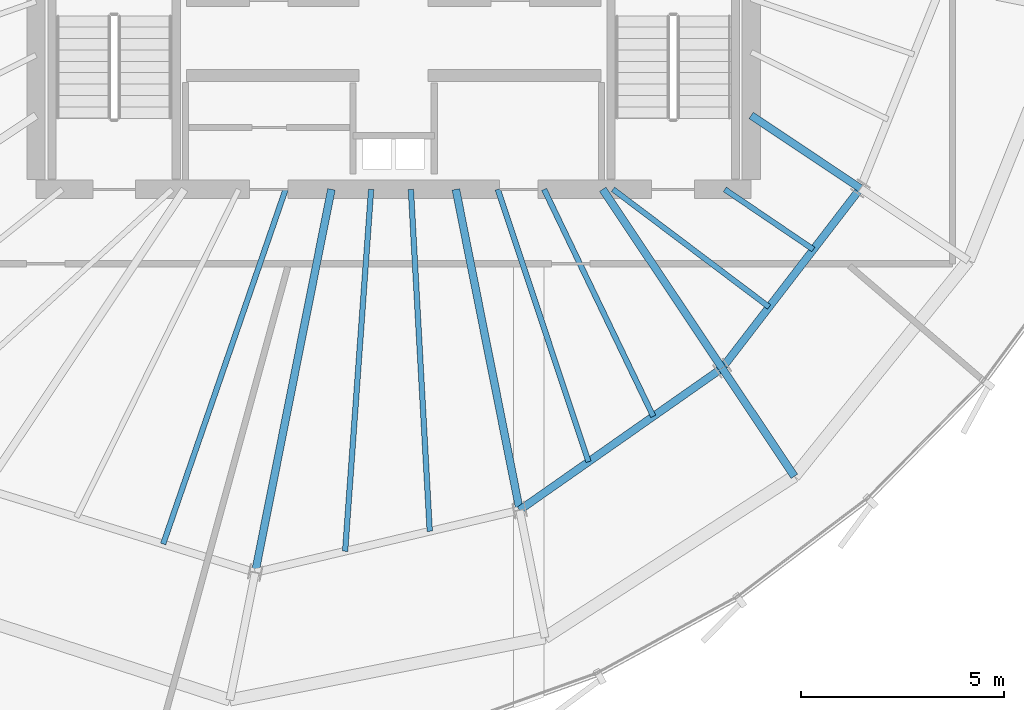
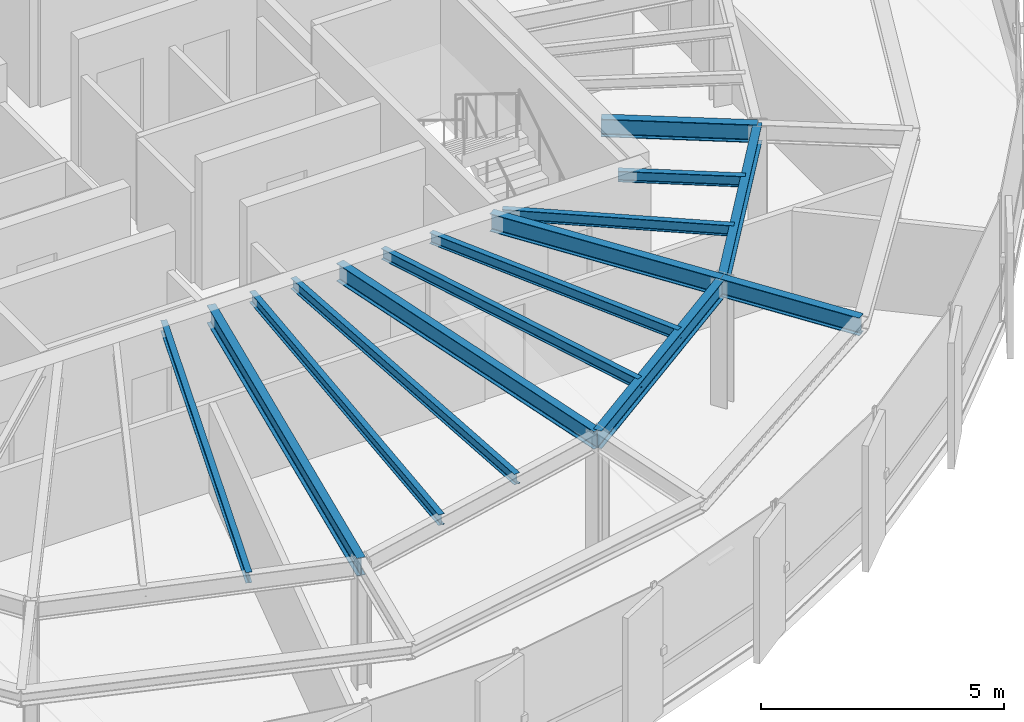
# One storey, part 8 of 33: 14 beams.
"""IFC4 building model written with IfcOpenShell, lengths in metres."""

from ifc_helpers import new_model, si_unit, direction, frame, origin, origin_2d, place, context, subcontext, project, spatial, i_section, extrude, source, transform, mapped, material, material_profile, profile_set, type_object, element, save


model = new_model("IFC4")

# Units and contexts
model_context = context("Model", 3, precision=1e-05, world=origin(), true_north=direction((0.0, 1.0)))
body_context = subcontext(model_context, "Body", "Model", "MODEL_VIEW")
ifc_project = project(units=[si_unit("LENGTHUNIT", "METRE"), si_unit("AREAUNIT", "SQUARE_METRE"), si_unit("VOLUMEUNIT", "CUBIC_METRE"), si_unit("PLANEANGLEUNIT", "RADIAN"), si_unit("MASSUNIT", "GRAM", prefix="KILO"), si_unit("THERMODYNAMICTEMPERATUREUNIT", "KELVIN")], contexts=[model_context])

# Site, building, storey
site_placement = place(None, origin())
site = spatial("IfcSite", under=ifc_project, at=site_placement, CompositionType="ELEMENT")
building_placement = place(site_placement, origin())
building = spatial("IfcBuilding", under=site, at=building_placement, Name="Kethvar Cultural Tower", CompositionType="ELEMENT")
storey_placement = place(building_placement, frame((0.0, 0.0, 235.300048828125)))
storey = spatial("IfcBuildingStorey", under=building, at=storey_placement, Name="L61", CompositionType="ELEMENT", Elevation=235.300048828125)

# Beams
ifc_material = material(Name="Steel S355J2", Category="steel")
ifc_material_profile_1 = material_profile(ifc_material, i_section(OverallWidth=0.18994140625, OverallDepth=0.449951171875, WebThickness=0.009521484375, FlangeThickness=0.0146484375, FilletRadius=0.02099609375, at=origin_2d()), Name="Steel S355J2 — IPE450")
ifc_profile_set_1 = profile_set([ifc_material_profile_1], Name="Steel S355J2 — IPE450")
beam_type_1 = type_object("IfcBeamType", Name="BM-IPE450", PredefinedType="BEAM", material=ifc_profile_set_1)
shared_shape_1 = source(origin(), body_context, "Body", "SweptSolid", [
    extrude(i_section(OverallWidth=0.18994140625, OverallDepth=0.449951171875, WebThickness=0.009521484375, FlangeThickness=0.0146484375, FilletRadius=0.02099609375, at=origin_2d()), origin(), (0.0, 0.0, 1.0), 3.199951171875),
])
beam_1_placement = place(storey_placement, frame((54.885009765625, 15.7001953125, 2.98291015625), z_axis=(0.555492222339, -0.83152173208, 0.0), x_axis=(0.83152173208, 0.555492222339, 0.0)))
element("IfcBeam", 1, at=beam_1_placement, inside=storey, type_object=beam_type_1, Name="L61 Perimeter Cantilever Beam RC-14", PredefinedType="BEAM", context=body_context, shape_type="MappedRepresentation", body=[
    mapped(shared_shape_1, transform((0.0, 0.0, 0.0), scale=1.0)),
])
shared_shape_2 = source(origin(), body_context, "Body", "SweptSolid", [
    extrude(i_section(OverallWidth=0.18994140625, OverallDepth=0.449951171875, WebThickness=0.009521484375, FlangeThickness=0.0146484375, FilletRadius=0.02099609375, at=origin_2d()), origin(), (0.0, 0.0, 1.0), 9.613525390625),
])
beam_2_placement = place(storey_placement, frame((45.268310546875, 20.10009765625, 2.98291015625), z_axis=(-0.195090428816, -0.980785259159, 0.0), x_axis=(0.980785259159, -0.195090428816, 0.0)))
element("IfcBeam", 2, at=beam_2_placement, inside=storey, type_object=beam_type_1, Name="L61 Primary Radial Beam RB-12", PredefinedType="BEAM", context=body_context, shape_type="MappedRepresentation", body=[
    mapped(shared_shape_2, transform((0.0, 0.0, 0.0), scale=1.0)),
])
shared_shape_3 = source(origin(), body_context, "Body", "SweptSolid", [
    extrude(i_section(OverallWidth=0.18994140625, OverallDepth=0.449951171875, WebThickness=0.009521484375, FlangeThickness=0.0146484375, FilletRadius=0.02099609375, at=origin_2d()), origin(), (0.0, 0.0, 1.0), 8.0478515625),
])
beam_3_placement = place(storey_placement, frame((48.33154296875, 20.10009765625, 2.98291015625), z_axis=(0.195089278796, -0.980785487912, 0.0), x_axis=(0.980785487912, 0.195089278796, 0.0)))
element("IfcBeam", 3, at=beam_3_placement, inside=storey, type_object=beam_type_1, Name="L61 Primary Radial Beam RB-13", PredefinedType="BEAM", context=body_context, shape_type="MappedRepresentation", body=[
    mapped(shared_shape_3, transform((0.0, 0.0, 0.0), scale=1.0)),
])
shared_shape_4 = source(origin(), body_context, "Body", "SweptSolid", [
    extrude(i_section(OverallWidth=0.18994140625, OverallDepth=0.449951171875, WebThickness=0.009521484375, FlangeThickness=0.0146484375, FilletRadius=0.02099609375, at=origin_2d()), origin(), (0.0, 0.0, 1.0), 5.291748046875),
])
beam_4_placement = place(storey_placement, frame((51.945068359375, 20.10009765625, 2.98291015625), z_axis=(0.555572931011, -0.831467809556, 0.0), x_axis=(0.831467809556, 0.555572931011, 0.0)))
element("IfcBeam", 4, at=beam_4_placement, inside=storey, type_object=beam_type_1, Name="L61 Primary Radial Beam RB-14", PredefinedType="BEAM", context=body_context, shape_type="MappedRepresentation", body=[
    mapped(shared_shape_4, transform((0.0, 0.0, 0.0), scale=1.0)),
])
shared_shape_5 = source(origin(), body_context, "Body", "SweptSolid", [
    extrude(i_section(OverallWidth=0.18994140625, OverallDepth=0.449951171875, WebThickness=0.009521484375, FlangeThickness=0.0146484375, FilletRadius=0.02099609375, at=origin_2d()), origin(), (0.0, 0.0, 1.0), 3.231689453125),
])
beam_5_placement = place(storey_placement, frame((55.60009765625, 21.919921875, 2.98291015625), z_axis=(0.831468708055, -0.55557158632, 0.0), x_axis=(0.55557158632, 0.831468708055, 0.0)))
element("IfcBeam", 5, at=beam_5_placement, inside=storey, type_object=beam_type_1, Name="L61 Primary Radial Beam RB-15", PredefinedType="BEAM", context=body_context, shape_type="MappedRepresentation", body=[
    mapped(shared_shape_5, transform((0.0, 0.0, 0.0), scale=1.0)),
])
ifc_material_profile_2 = material_profile(ifc_material, i_section(OverallWidth=0.135009765625, OverallDepth=0.27001953125, WebThickness=0.006591796875, FlangeThickness=0.01025390625, FilletRadius=0.014892578125, at=origin_2d()), Name="Steel S355J2 — IPE270")
ifc_profile_set_2 = profile_set([ifc_material_profile_2], Name="Steel S355J2 — IPE270")
beam_type_2 = type_object("IfcBeamType", Name="BM-J270", PredefinedType="JOIST", material=ifc_profile_set_2)
shared_shape_6 = source(origin(), body_context, "Body", "SweptSolid", [
    extrude(i_section(OverallWidth=0.135009765625, OverallDepth=0.27001953125, WebThickness=0.006591796875, FlangeThickness=0.01025390625, FilletRadius=0.014892578125, at=origin_2d()), origin(), (0.0, 0.0, 1.0), 9.234130859375),
])
beam_6_placement = place(storey_placement, frame((44.1416015625, 20.10009765625, 3.072998046875), z_axis=(-0.326362208058, -0.945244787953, 0.0), x_axis=(0.945244787953, -0.326362208058, 0.0)))
element("IfcBeam", 6, at=beam_6_placement, inside=storey, type_object=beam_type_2, Name="L61 Composite Floor Joist J-11B", PredefinedType="JOIST", context=body_context, shape_type="MappedRepresentation", body=[
    mapped(shared_shape_6, transform((0.0, 0.0, 0.0), scale=1.0)),
])
shared_shape_7 = source(origin(), body_context, "Body", "SweptSolid", [
    extrude(i_section(OverallWidth=0.135009765625, OverallDepth=0.27001953125, WebThickness=0.006591796875, FlangeThickness=0.01025390625, FilletRadius=0.014892578125, at=origin_2d()), origin(), (0.0, 0.0, 1.0), 8.9296875),
])
beam_7_placement = place(storey_placement, frame((46.246337890625, 20.10009765625, 3.072998046875), z_axis=(-0.071713352262, -0.99742528297, 0.0), x_axis=(0.99742528297, -0.071713352262, 0.0)))
element("IfcBeam", 7, at=beam_7_placement, inside=storey, type_object=beam_type_2, Name="L61 Composite Floor Joist J-12A", PredefinedType="JOIST", context=body_context, shape_type="MappedRepresentation", body=[
    mapped(shared_shape_7, transform((0.0, 0.0, 0.0), scale=1.0)),
])
shared_shape_8 = source(origin(), body_context, "Body", "SweptSolid", [
    extrude(i_section(OverallWidth=0.135009765625, OverallDepth=0.27001953125, WebThickness=0.006591796875, FlangeThickness=0.01025390625, FilletRadius=0.014892578125, at=origin_2d()), origin(), (0.0, 0.0, 1.0), 8.427978515625),
])
beam_8_placement = place(storey_placement, frame((47.224609375, 20.10009765625, 3.072998046875), z_axis=(0.055067321535, -0.998482643865, 0.0), x_axis=(0.998482643865, 0.055067321535, 0.0)))
element("IfcBeam", 8, at=beam_8_placement, inside=storey, type_object=beam_type_2, Name="L61 Composite Floor Joist J-12B", PredefinedType="JOIST", context=body_context, shape_type="MappedRepresentation", body=[
    mapped(shared_shape_8, transform((0.0, 0.0, 0.0), scale=1.0)),
])
shared_shape_9 = source(origin(), body_context, "Body", "SweptSolid", [
    extrude(i_section(OverallWidth=0.18994140625, OverallDepth=0.449951171875, WebThickness=0.009521484375, FlangeThickness=0.0146484375, FilletRadius=0.02099609375, at=origin_2d()), origin(), (0.0, 0.0, 1.0), 6.0859375),
])
beam_9_placement = place(storey_placement, frame((49.901611328125, 12.206787109375, 2.98291015625), z_axis=(0.818843498091, 0.57401683393, 0.0), x_axis=(-0.57401683393, 0.818843498091, 0.0)))
element("IfcBeam", 9, at=beam_9_placement, inside=storey, type_object=beam_type_1, Name="L61 Column Ring Tie Beam CR-13", PredefinedType="BEAM", context=body_context, shape_type="MappedRepresentation", body=[
    mapped(shared_shape_9, transform((0.0, 0.0, 0.0), scale=1.0)),
])
shared_shape_10 = source(origin(), body_context, "Body", "SweptSolid", [
    extrude(i_section(OverallWidth=0.135009765625, OverallDepth=0.27001953125, WebThickness=0.006591796875, FlangeThickness=0.01025390625, FilletRadius=0.014892578125, at=origin_2d()), origin(), (0.0, 0.0, 1.0), 7.0673828125),
])
beam_10_placement = place(storey_placement, frame((49.363525390625, 20.10009765625, 3.072998046875), z_axis=(0.315875389768, -0.948800684095, 0.0), x_axis=(0.948800684095, 0.315875389768, 0.0)))
element("IfcBeam", 10, at=beam_10_placement, inside=storey, type_object=beam_type_2, Name="L61 Composite Floor Joist J-13A", PredefinedType="JOIST", context=body_context, shape_type="MappedRepresentation", body=[
    mapped(shared_shape_10, transform((0.0, 0.0, 0.0), scale=1.0)),
])
shared_shape_11 = source(origin(), body_context, "Body", "SweptSolid", [
    extrude(i_section(OverallWidth=0.135009765625, OverallDepth=0.27001953125, WebThickness=0.006591796875, FlangeThickness=0.01025390625, FilletRadius=0.014892578125, at=origin_2d()), origin(), (0.0, 0.0, 1.0), 6.2001953125),
])
beam_11_placement = place(storey_placement, frame((50.50341796875, 20.10009765625, 3.072998046875), z_axis=(0.433410678328, -0.901196529017, 0.0), x_axis=(0.901196529017, 0.433410678328, 0.0)))
element("IfcBeam", 11, at=beam_11_placement, inside=storey, type_object=beam_type_2, Name="L61 Composite Floor Joist J-13B", PredefinedType="JOIST", context=body_context, shape_type="MappedRepresentation", body=[
    mapped(shared_shape_11, transform((0.0, 0.0, 0.0), scale=1.0)),
])
shared_shape_12 = source(origin(), body_context, "Body", "SweptSolid", [
    extrude(i_section(OverallWidth=0.18994140625, OverallDepth=0.449951171875, WebThickness=0.009521484375, FlangeThickness=0.0146484375, FilletRadius=0.02099609375, at=origin_2d()), origin(), (0.0, 0.0, 1.0), 5.5810546875),
])
beam_12_placement = place(storey_placement, frame((54.885009765625, 15.7001953125, 2.98291015625), z_axis=(0.60957334008, 0.79272967843, 0.0), x_axis=(-0.79272967843, 0.60957334008, 0.0)))
element("IfcBeam", 12, at=beam_12_placement, inside=storey, type_object=beam_type_1, Name="L61 Column Ring Tie Beam CR-14", PredefinedType="BEAM", context=body_context, shape_type="MappedRepresentation", body=[
    mapped(shared_shape_12, transform((0.0, 0.0, 0.0), scale=1.0)),
])
shared_shape_13 = source(origin(), body_context, "Body", "SweptSolid", [
    extrude(i_section(OverallWidth=0.135009765625, OverallDepth=0.27001953125, WebThickness=0.006591796875, FlangeThickness=0.01025390625, FilletRadius=0.014892578125, at=origin_2d()), origin(), (0.0, 0.0, 1.0), 4.810791015625),
])
beam_13_placement = place(storey_placement, frame((52.199951171875, 20.10009765625, 3.072998046875), z_axis=(0.798542152732, -0.601938892505, 0.0), x_axis=(0.601938892505, 0.798542152732, 0.0)))
element("IfcBeam", 13, at=beam_13_placement, inside=storey, type_object=beam_type_2, Name="L61 Composite Floor Joist J-14A", PredefinedType="JOIST", context=body_context, shape_type="MappedRepresentation", body=[
    mapped(shared_shape_13, transform((0.0, 0.0, 0.0), scale=1.0)),
])
shared_shape_14 = source(origin(), body_context, "Body", "SweptSolid", [
    extrude(i_section(OverallWidth=0.135009765625, OverallDepth=0.27001953125, WebThickness=0.006591796875, FlangeThickness=0.01025390625, FilletRadius=0.014892578125, at=origin_2d()), origin(), (0.0, 0.0, 1.0), 2.635009765625),
])
beam_14_placement = place(storey_placement, frame((54.949951171875, 20.10009765625, 3.072998046875), z_axis=(0.827446562598, -0.561544464887, 0.0), x_axis=(0.561544464887, 0.827446562598, 0.0)))
element("IfcBeam", 14, at=beam_14_placement, inside=storey, type_object=beam_type_2, Name="L61 Composite Floor Joist J-14B", PredefinedType="JOIST", context=body_context, shape_type="MappedRepresentation", body=[
    mapped(shared_shape_14, transform((0.0, 0.0, 0.0), scale=1.0)),
])

save(model, "model.ifc")
